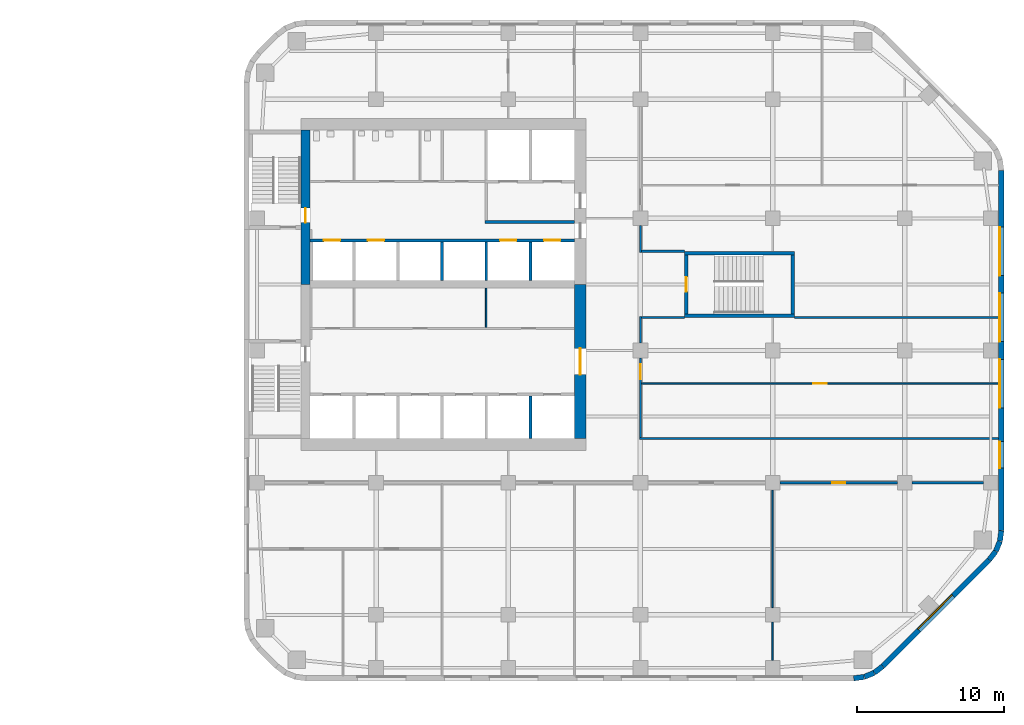
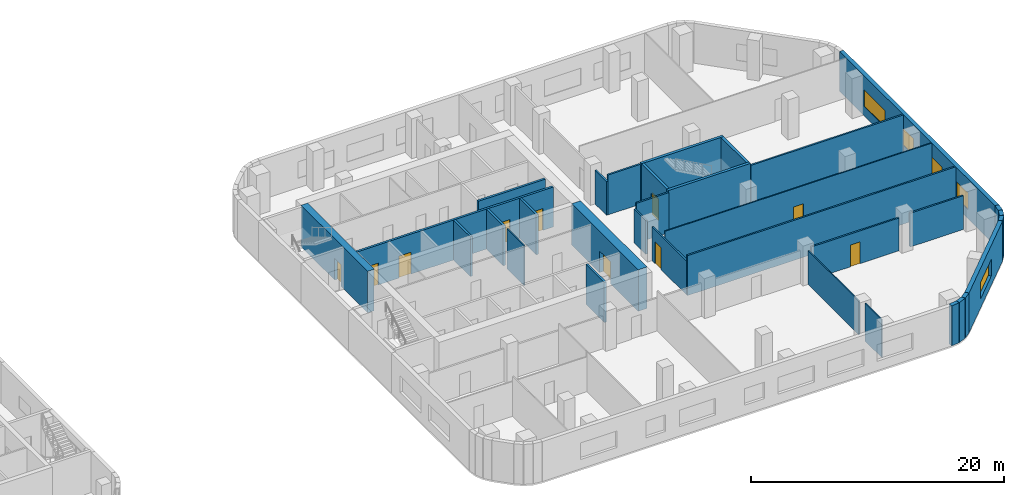
# One storey, part 9 of 14: 33 walls, 10 doors, 5 windows, 15 openings.
"""IFC4 building model written with IfcOpenShell, lengths in metres."""

import ifcopenshell
import ifcopenshell.guid

model = None  # the IFC model being written
_history = None  # IfcOwnerHistory: only IFC2X3 demands one
_inside = {}  # id of a spatial element -> (the spatial element, [elements in it])
_under = {}  # id of a project, library or spatial element -> (it, [spatial elements below it])
_declared = {}  # id of a project -> (the project, [libraries it declares])
_typed = {}  # id of a type object -> (the type object, [elements of that type])
_made_of = {}  # id of a material, layer set ... -> (it, [elements and type objects made of it])


def new_model(schema):
    """Start an empty IFC model of exactly this schema.

    Asked for "IFC4X3", IfcOpenShell would pick the latest addendum, in which some entities
    have other attributes; the version numbers below select the first issue.
    IFC2X3 requires an IfcOwnerHistory on every rooted entity: one is made here for all.
    """
    global model, _history
    if schema == "IFC4X3":
        model = ifcopenshell.file(schema_version=(4, 3, 0, 0))
    else:
        model = ifcopenshell.file(schema=schema)
    _inside.clear()
    _under.clear()
    _declared.clear()
    _typed.clear()
    _made_of.clear()
    _history = None
    if model.schema == "IFC2X3":
        org = make("IfcOrganization", Name="unknown")
        user = make(
            "IfcPersonAndOrganization",
            ThePerson=make("IfcPerson", FamilyName="unknown"),
            TheOrganization=org,
        )
        app = make(
            "IfcApplication",
            ApplicationDeveloper=org,
            Version="unknown",
            ApplicationFullName="unknown",
            ApplicationIdentifier="unknown",
        )
        _history = make(
            "IfcOwnerHistory",
            OwningUser=user,
            OwningApplication=app,
            ChangeAction="ADDED",
            CreationDate=0,
        )
    return model


def make(cls, **values):
    """One entity of the class cls with the attributes given. An attribute that is None is left unset."""
    return model.create_entity(
        cls, **{name: value for name, value in values.items() if value is not None}
    )


def rooted(cls, **values):
    """An entity with a GlobalId (a new one), such as an element, a storey or a relation."""
    return make(cls, GlobalId=ifcopenshell.guid.new(), OwnerHistory=_history, **values)


def si_unit(unit_type, name, prefix=None):
    """IfcSIUnit, for example si_unit("LENGTHUNIT", "METRE", prefix="MILLI")."""
    return make("IfcSIUnit", UnitType=unit_type, Prefix=prefix, Name=name)


def assignment(units):
    """IfcUnitAssignment: the units of a project."""
    return None if units is None else make("IfcUnitAssignment", Units=units)


def point(xyz):
    """IfcCartesianPoint."""
    return None if xyz is None else make("IfcCartesianPoint", Coordinates=xyz)


def direction(xyz):
    """IfcDirection."""
    return None if xyz is None else make("IfcDirection", DirectionRatios=xyz)


def frame(location, z_axis=None, x_axis=None):
    """IfcAxis2Placement3D, a coordinate frame: its origin and axes. An axis left out is left unset."""
    return make(
        "IfcAxis2Placement3D",
        Location=point(location),
        Axis=direction(z_axis),
        RefDirection=direction(x_axis),
    )


def frame_2d(location, x_axis=None):
    """IfcAxis2Placement2D, a coordinate frame in the plane: its origin and x axis."""
    return make(
        "IfcAxis2Placement2D", Location=point(location), RefDirection=direction(x_axis)
    )


def origin():
    """The frame at (0, 0, 0) with its axes left unset."""
    return frame((0.0, 0.0, 0.0))


def place(relative_to, where):
    """IfcLocalPlacement: puts the frame where relative to a parent placement (None: the world)."""
    return make(
        "IfcLocalPlacement", PlacementRelTo=relative_to, RelativePlacement=where
    )


def context(
    kind, dimensions, precision=None, world=None, true_north=None, identifier=None
):
    """IfcGeometricRepresentationContext, for example the 3D "Model" context."""
    return make(
        "IfcGeometricRepresentationContext",
        ContextIdentifier=identifier,
        ContextType=kind,
        CoordinateSpaceDimension=dimensions,
        Precision=precision,
        WorldCoordinateSystem=world,
        TrueNorth=true_north,
    )


def subcontext(parent, identifier, kind, view, scale=None):
    """IfcGeometricRepresentationSubContext, for example "Body" below "Model"."""
    return make(
        "IfcGeometricRepresentationSubContext",
        ContextIdentifier=identifier,
        ContextType=kind,
        ParentContext=parent,
        TargetScale=scale,
        TargetView=view,
    )


def project(units=None, contexts=None):
    """IfcProject with its units and contexts."""
    return rooted(
        "IfcProject",
        Name="project",
        RepresentationContexts=contexts,
        UnitsInContext=assignment(units),
    )


def spatial(cls, under=None, at=None, **own):
    """A site, building, storey or space (cls), placed at a placement, below another one or the project."""
    s = rooted(cls, ObjectPlacement=at, **own)
    if under is not None:
        _under.setdefault(under.id(), (under, []))[1].append(s)
    return s


def profile(cls, at=None, kind="AREA", **sizes):
    """A parametric profile (cls). Its sizes go by their IFC names, for example OverallWidth=200.0."""
    return make(cls, ProfileType=kind, Position=at, **sizes)


def rectangle(**sizes):
    """IfcRectangleProfileDef."""
    return profile("IfcRectangleProfileDef", **sizes)


def extrude(swept, where, along, depth):
    """IfcExtrudedAreaSolid: the profile swept, set in the frame where, extruded along a direction by depth."""
    return make(
        "IfcExtrudedAreaSolid",
        SweptArea=swept,
        Position=where,
        ExtrudedDirection=direction(along),
        Depth=depth,
    )


def shape(context_of_items, identifier, shape_type, items):
    """IfcShapeRepresentation: the items that make up one representation, for example the "Body"."""
    return make(
        "IfcShapeRepresentation",
        ContextOfItems=context_of_items,
        RepresentationIdentifier=identifier,
        RepresentationType=shape_type,
        Items=items,
    )


def material(Name=None, Category=None):
    """IfcMaterial."""
    return make("IfcMaterial", Name=Name, Category=Category)


def layer(
    of_material, thickness, ventilated=None, Name=None, Category=None, Priority=None
):
    """IfcMaterialLayer: one layer of a wall or slab, of a material (None: an air gap)."""
    return make(
        "IfcMaterialLayer",
        Material=of_material,
        LayerThickness=thickness,
        IsVentilated=ventilated,
        Name=Name,
        Category=Category,
        Priority=Priority,
    )


def layer_set(layers, Name=None):
    """IfcMaterialLayerSet."""
    return make("IfcMaterialLayerSet", MaterialLayers=layers, LayerSetName=Name)


def made_of(thing, what):
    """Note that an element or type object is made of a material, layer set ...; save() writes the relation."""
    if what is not None:
        _made_of.setdefault(what.id(), (what, []))[1].append(thing)
    return thing


def type_object(cls, material=None, **own):
    """A type object (cls), such as IfcWallType, which elements share."""
    return made_of(rooted(cls, **own), material)


def element(
    cls,
    number,
    at=None,
    inside=None,
    cuts=None,
    type_object=None,
    material=None,
    context=None,
    identifier="Body",
    shape_type=None,
    held_by="IfcProductDefinitionShape",
    body=None,
    shapes=None,
    **own,
):
    """One element of the class cls, such as IfcWall. Its Tag is "e" and its number.

    at: its placement. inside: the storey or other place that contains it. cuts: it is an
    opening in that element (IfcRelVoidsElement). A single representation is given by context,
    identifier, shape_type and body (its items); several are given by shapes. held_by: the class
    of the entity that holds the representations. save() writes the other relations.
    """
    e = rooted(cls, Tag="e%d" % number, ObjectPlacement=at, **own)
    if body is not None:
        shapes = [shape(context, identifier, shape_type, body)]
    if shapes is not None:
        e.Representation = make(held_by, Representations=shapes)
    if inside is not None:
        _inside.setdefault(inside.id(), (inside, []))[1].append(e)
    if cuts is not None:
        rooted(
            "IfcRelVoidsElement", RelatingBuildingElement=cuts, RelatedOpeningElement=e
        )
    if type_object is not None:
        _typed.setdefault(type_object.id(), (type_object, []))[1].append(e)
    return made_of(e, material)


def fill(opening, filler):
    """IfcRelFillsElement: the door or window that sits in an opening."""
    return rooted(
        "IfcRelFillsElement",
        RelatingOpeningElement=opening,
        RelatedBuildingElement=filler,
    )


def aggregate(whole, parts):
    """IfcRelAggregates: a whole, such as a stair, and the parts it consists of."""
    return rooted("IfcRelAggregates", RelatingObject=whole, RelatedObjects=parts)


def save(model, path):
    """Write the relations noted so far, then the file.

    IfcRelAggregates (storeys below a building ...), IfcRelContainedInSpatialStructure (elements
    in a storey), IfcRelDefinesByType, IfcRelAssociatesMaterial and IfcRelDeclares: one each for
    every whole, place, type object, material and project.
    """
    for whole, parts in _under.values():
        aggregate(whole, parts)
    for where, things in _inside.values():
        rooted(
            "IfcRelContainedInSpatialStructure",
            RelatedElements=things,
            RelatingStructure=where,
        )
    for kind, things in _typed.values():
        rooted("IfcRelDefinesByType", RelatedObjects=things, RelatingType=kind)
    for what, things in _made_of.values():
        rooted("IfcRelAssociatesMaterial", RelatedObjects=things, RelatingMaterial=what)
    for by, libraries in _declared.values():
        rooted("IfcRelDeclares", RelatingContext=by, RelatedDefinitions=libraries)
    model.write(path)


model = new_model("IFC4")

# Units and contexts
model_context = context("Model", 3, precision=1e-05, world=origin(), true_north=direction((0.0, 1.0)))
body_context = subcontext(model_context, "Body", "Model", "MODEL_VIEW")
ifc_project = project(units=[si_unit("LENGTHUNIT", "METRE"), si_unit("AREAUNIT", "SQUARE_METRE"), si_unit("VOLUMEUNIT", "CUBIC_METRE"), si_unit("PLANEANGLEUNIT", "RADIAN"), si_unit("MASSUNIT", "GRAM", prefix="KILO")], contexts=[model_context])

# Site, building, storey
site_placement = place(None, origin())
site = spatial("IfcSite", under=ifc_project, at=site_placement, CompositionType="ELEMENT")
building_placement = place(site_placement, origin())
building = spatial("IfcBuilding", under=site, at=building_placement, Name="Cinnabar Reach Civic Tower", CompositionType="ELEMENT")
storey_placement = place(building_placement, frame((0.0, 0.0, 128.0)))
storey = spatial("IfcBuildingStorey", under=building, at=storey_placement, Name="L30", CompositionType="ELEMENT", Elevation=128.0)

# Walls
ifc_material_1 = material(Name="Facing brick with insulated backing", Category="masonry")
ifc_layer_1 = layer(ifc_material_1, 0.36)
ifc_layer_set_1 = layer_set([ifc_layer_1], Name="Brick corner wall")
wall_type_1 = type_object("IfcWallType", Name="Brick corner wall", PredefinedType="STANDARD", material=ifc_layer_set_1)
for number, where, z_axis, x_axis, name in (
    (1, (41.5186, 4.683, 0.0), (0.0, 0.0, 1.0), (0.99144092581, 0.13055608231, 0.0), "Brick corner wall"),
    (2, (42.2473, 4.7819, 0.0), (0.0, 0.0, 1.0), (0.923871547278, 0.382702709855, 0.0), "Brick corner wall"),
):
    element("IfcWall", number, at=place(storey_placement, frame(where, z_axis=z_axis, x_axis=x_axis)), inside=storey, type_object=wall_type_1, Name=name, PredefinedType="STANDARD", context=body_context, shape_type="SweptSolid", body=[
        extrude(rectangle(XDim=0.7131, YDim=0.36, at=frame_2d((0.3565, 0.0))), origin(), (0.0, 0.0, 1.0), 3.85),
    ])
for number, where, z_axis, x_axis, name in (
    (3, (42.9255, 5.066, 0.0), (0.0, 0.0, 1.0), (0.793321924995, 0.608802368033, 0.0), "Brick corner wall"),
    (4, (50.7498, 12.7587, 0.0), (0.0, 0.0, 1.0), (0.608802368033, 0.793321924995, 0.0), "Brick corner wall"),
):
    element("IfcWall", number, at=place(storey_placement, frame(where, z_axis=z_axis, x_axis=x_axis)), inside=storey, type_object=wall_type_1, Name=name, PredefinedType="STANDARD", context=body_context, shape_type="SweptSolid", body=[
        extrude(rectangle(XDim=0.7132, YDim=0.36, at=frame_2d((0.3566, 0.0))), origin(), (0.0, 0.0, 1.0), 3.85),
    ])
for number, where, z_axis, x_axis, name in (
    (5, (51.1952, 13.3439, 0.0), (0.0, 0.0, 1.0), (0.382702709855, 0.923871547278, 0.0), "Brick corner wall"),
    (6, (51.4739, 14.0244, 0.0), (0.0, 0.0, 1.0), (0.13055608231, 0.99144092581, 0.0), "Brick corner wall"),
):
    element("IfcWall", number, at=place(storey_placement, frame(where, z_axis=z_axis, x_axis=x_axis)), inside=storey, type_object=wall_type_1, Name=name, PredefinedType="STANDARD", context=body_context, shape_type="SweptSolid", body=[
        extrude(rectangle(XDim=0.7131, YDim=0.36, at=frame_2d((0.3565, 0.0))), origin(), (0.0, 0.0, 1.0), 3.85),
    ])

# Wall, opening, window
ifc_layer_2 = layer(ifc_material_1, 0.36)
ifc_layer_set_2 = layer_set([ifc_layer_2], Name="Brick pier and spandrel wall")
wall_type_2 = type_object("IfcWallType", Name="Brick pier and spandrel wall", PredefinedType="STANDARD", material=ifc_layer_set_2)
wall_1_placement = place(storey_placement, frame((43.5014, 5.506, 0.0), z_axis=(0.0, 0.0, 1.0), x_axis=(0.707106781187, 0.707106781187, 0.0)))
wall_1 = element("IfcWall", 7, at=wall_1_placement, inside=storey, type_object=wall_type_2, Name="Brick facade wall", PredefinedType="STANDARD", context=body_context, shape_type="SweptSolid", body=[
    extrude(rectangle(XDim=10.2426, YDim=0.36, at=frame_2d((5.1213, 0.0))), origin(), (0.0, 0.0, 1.0), 3.85),
])
opening_1_placement = place(wall_1_placement, frame((3.4713, 0.0, 0.9)))
opening_1 = element("IfcOpeningElement", 8, at=opening_1_placement, cuts=wall_1, Name="Opening W1640", PredefinedType="OPENING", context=body_context, shape_type="SweptSolid", body=[
    extrude(rectangle(XDim=3.3, YDim=1.6, at=frame_2d((1.65, 0.8))), frame((0.0, 0.19, 0.0), z_axis=(0.0, -1.0, 0.0), x_axis=(1.0, 0.0, 0.0)), (0.0, 0.0, 1.0), 0.38),
])
ifc_material_2 = material(Name="Clear double glazing in aluminium frame", Category="aluminium")
window_type_1 = type_object("IfcWindowType", Name="Deep-set window A", PartitioningType="SINGLE_PANEL", PredefinedType="WINDOW", material=ifc_material_2)
window_1_placement = place(opening_1_placement, origin())
window_1 = element("IfcWindow", 9, at=window_1_placement, inside=storey, type_object=window_type_1, Name="Window southeast face", OverallHeight=1.6, OverallWidth=3.3, PartitioningType="SINGLE_PANEL", PredefinedType="WINDOW", context=body_context, shape_type="SweptSolid", body=[
    extrude(rectangle(XDim=3.3, YDim=1.6, at=frame_2d((1.65, 0.8))), frame((0.0, 0.13, 0.0), z_axis=(0.0, -1.0, 0.0), x_axis=(1.0, 0.0, 0.0)), (0.0, 0.0, 1.0), 0.06),
])
fill(opening_1, window_1)

# Wall, openings, windows
wall_2_placement = place(storey_placement, frame((51.57, 14.7426, 0.0), z_axis=(0.0, 0.0, 1.0), x_axis=(0.0, 1.0, 0.0)))
wall_2 = element("IfcWall", 10, at=wall_2_placement, inside=storey, type_object=wall_type_2, Name="Brick facade wall", PredefinedType="STANDARD", context=body_context, shape_type="SweptSolid", body=[
    extrude(rectangle(XDim=24.5148, YDim=0.36, at=frame_2d((12.2574, 0.0))), origin(), (0.0, 0.0, 1.0), 3.85),
])
opening_2_placement = place(wall_2_placement, frame((4.2574, 0.0, 0.9)))
opening_2 = element("IfcOpeningElement", 11, at=opening_2_placement, cuts=wall_2, Name="Opening W1641", PredefinedType="OPENING", context=body_context, shape_type="SweptSolid", body=[
    extrude(rectangle(XDim=1.8, YDim=1.6, at=frame_2d((0.9, 0.8))), frame((0.0, 0.19, 0.0), z_axis=(0.0, -1.0, 0.0), x_axis=(1.0, 0.0, 0.0)), (0.0, 0.0, 1.0), 0.38),
])
opening_3_placement = place(wall_2_placement, frame((8.3574, 0.0, 0.9)))
opening_3 = element("IfcOpeningElement", 12, at=opening_3_placement, cuts=wall_2, Name="Opening W1642", PredefinedType="OPENING", context=body_context, shape_type="SweptSolid", body=[
    extrude(rectangle(XDim=3.3, YDim=1.6, at=frame_2d((1.65, 0.8))), frame((0.0, 0.19, 0.0), z_axis=(0.0, -1.0, 0.0), x_axis=(1.0, 0.0, 0.0)), (0.0, 0.0, 1.0), 0.38),
])
opening_4_placement = place(wall_2_placement, frame((12.8574, 0.0, 0.9)))
opening_4 = element("IfcOpeningElement", 13, at=opening_4_placement, cuts=wall_2, Name="Opening W1643", PredefinedType="OPENING", context=body_context, shape_type="SweptSolid", body=[
    extrude(rectangle(XDim=3.3, YDim=1.6, at=frame_2d((1.65, 0.8))), frame((0.0, 0.19, 0.0), z_axis=(0.0, -1.0, 0.0), x_axis=(1.0, 0.0, 0.0)), (0.0, 0.0, 1.0), 0.38),
])
opening_5_placement = place(wall_2_placement, frame((17.3574, 0.0, 0.9)))
opening_5 = element("IfcOpeningElement", 14, at=opening_5_placement, cuts=wall_2, Name="Opening W1644", PredefinedType="OPENING", context=body_context, shape_type="SweptSolid", body=[
    extrude(rectangle(XDim=3.3, YDim=1.6, at=frame_2d((1.65, 0.8))), frame((0.0, 0.19, 0.0), z_axis=(0.0, -1.0, 0.0), x_axis=(1.0, 0.0, 0.0)), (0.0, 0.0, 1.0), 0.38),
])
window_2_placement = place(opening_3_placement, origin())
window_2 = element("IfcWindow", 15, at=window_2_placement, inside=storey, type_object=window_type_1, Name="Window east face", OverallHeight=1.6, OverallWidth=3.3, PartitioningType="SINGLE_PANEL", PredefinedType="WINDOW", context=body_context, shape_type="SweptSolid", body=[
    extrude(rectangle(XDim=3.3, YDim=1.6, at=frame_2d((1.65, 0.8))), frame((0.0, 0.13, 0.0), z_axis=(0.0, -1.0, 0.0), x_axis=(1.0, 0.0, 0.0)), (0.0, 0.0, 1.0), 0.06),
])
fill(opening_3, window_2)
window_3_placement = place(opening_4_placement, origin())
window_3 = element("IfcWindow", 16, at=window_3_placement, inside=storey, type_object=window_type_1, Name="Window east face", OverallHeight=1.6, OverallWidth=3.3, PartitioningType="SINGLE_PANEL", PredefinedType="WINDOW", context=body_context, shape_type="SweptSolid", body=[
    extrude(rectangle(XDim=3.3, YDim=1.6, at=frame_2d((1.65, 0.8))), frame((0.0, 0.13, 0.0), z_axis=(0.0, -1.0, 0.0), x_axis=(1.0, 0.0, 0.0)), (0.0, 0.0, 1.0), 0.06),
])
fill(opening_4, window_3)
window_4_placement = place(opening_5_placement, origin())
window_4 = element("IfcWindow", 17, at=window_4_placement, inside=storey, type_object=window_type_1, Name="Window east face", OverallHeight=1.6, OverallWidth=3.3, PartitioningType="SINGLE_PANEL", PredefinedType="WINDOW", context=body_context, shape_type="SweptSolid", body=[
    extrude(rectangle(XDim=3.3, YDim=1.6, at=frame_2d((1.65, 0.8))), frame((0.0, 0.13, 0.0), z_axis=(0.0, -1.0, 0.0), x_axis=(1.0, 0.0, 0.0)), (0.0, 0.0, 1.0), 0.06),
])
fill(opening_5, window_4)
window_type_2 = type_object("IfcWindowType", Name="Deep-set window D", PartitioningType="SINGLE_PANEL", PredefinedType="WINDOW", material=ifc_material_2)
window_5_placement = place(opening_2_placement, origin())
window_5 = element("IfcWindow", 18, at=window_5_placement, inside=storey, type_object=window_type_2, Name="Window east face", OverallHeight=1.6, OverallWidth=1.8, PartitioningType="SINGLE_PANEL", PredefinedType="WINDOW", context=body_context, shape_type="SweptSolid", body=[
    extrude(rectangle(XDim=1.8, YDim=1.6, at=frame_2d((0.9, 0.8))), frame((0.0, 0.13, 0.0), z_axis=(0.0, -1.0, 0.0), x_axis=(1.0, 0.0, 0.0)), (0.0, 0.0, 1.0), 0.06),
])
fill(opening_2, window_5)

# Wall, opening, door
ifc_material_3 = material(Name="Concrete C70", Category="concrete")
ifc_layer_3 = layer(ifc_material_3, 0.6)
ifc_layer_set_3 = layer_set([ifc_layer_3], Name="Core wall 600 EI 180")
wall_type_3 = type_object("IfcWallType", Name="Core wall 600 EI 180", PredefinedType="SOLIDWALL", material=ifc_layer_set_3)
wall_3_placement = place(storey_placement, frame((4.2, 42.0, 0.0), z_axis=(0.0, 0.0, 1.0), x_axis=(0.0, -1.0, 0.0)))
wall_3 = element("IfcWall", 19, at=wall_3_placement, inside=storey, type_object=wall_type_3, Name="Core wall T1 L30 W", PredefinedType="SOLIDWALL", context=body_context, shape_type="SweptSolid", body=[
    extrude(rectangle(XDim=10.5, YDim=0.6, at=frame_2d((5.25, 0.0))), origin(), (0.0, 0.0, 1.0), 4.0),
])
opening_6_placement = place(wall_3_placement, frame((5.3, 0.0, 0.0)))
opening_6 = element("IfcOpeningElement", 20, at=opening_6_placement, cuts=wall_3, Name="Opening D4214", PredefinedType="OPENING", context=body_context, shape_type="SweptSolid", body=[
    extrude(rectangle(XDim=1.0, YDim=2.1, at=frame_2d((0.5, 1.05))), frame((0.0, 0.31, 0.0), z_axis=(0.0, -1.0, 0.0), x_axis=(1.0, 0.0, 0.0)), (0.0, 0.0, 1.0), 0.62),
])
ifc_material_4 = material(Name="Timber door leaf in steel frame", Category="steel")
door_type_1 = type_object("IfcDoorType", Name="Stair door 1000 x 2100 T1", OperationType="SINGLE_SWING_LEFT", PredefinedType="DOOR", material=ifc_material_4)
door_1_placement = place(opening_6_placement, frame((1.0, 0.0, 0.0), z_axis=(0.0, 0.0, 1.0), x_axis=(-1.0, 0.0, 0.0)))
door_1 = element("IfcDoor", 21, at=door_1_placement, inside=storey, type_object=door_type_1, Name="Door D4214", OperationType="SINGLE_SWING_LEFT", OverallHeight=2.1, OverallWidth=1.0, PredefinedType="DOOR", context=body_context, shape_type="SweptSolid", body=[
    extrude(rectangle(XDim=1.0, YDim=2.1, at=frame_2d((0.5, 1.05))), frame((0.0, 0.025, 0.0), z_axis=(0.0, -1.0, 0.0), x_axis=(1.0, 0.0, 0.0)), (0.0, 0.0, 1.0), 0.05),
])
fill(opening_6, door_1)

ifc_layer_4 = layer(ifc_material_3, 0.8)
ifc_layer_set_4 = layer_set([ifc_layer_4], Name="Core wall 800 EI 180")
wall_type_4 = type_object("IfcWallType", Name="Core wall 800 EI 180", PredefinedType="SOLIDWALL", material=ifc_layer_set_4)
wall_4_placement = place(storey_placement, frame((22.9, 21.0, 0.0), z_axis=(0.0, 0.0, 1.0), x_axis=(0.0, 1.0, 0.0)))
wall_4 = element("IfcWall", 22, at=wall_4_placement, inside=storey, type_object=wall_type_4, Name="Core wall T1 L30 E", PredefinedType="SOLIDWALL", context=body_context, shape_type="SweptSolid", body=[
    extrude(rectangle(XDim=10.5, YDim=0.8, at=frame_2d((5.25, 0.0))), origin(), (0.0, 0.0, 1.0), 4.0),
])
opening_7_placement = place(wall_4_placement, frame((4.35, 0.0, 0.0)))
opening_7 = element("IfcOpeningElement", 23, at=opening_7_placement, cuts=wall_4, Name="Opening D4228", PredefinedType="OPENING", context=body_context, shape_type="SweptSolid", body=[
    extrude(rectangle(XDim=1.8, YDim=2.1, at=frame_2d((0.9, 1.05))), frame((0.0, 0.41, 0.0), z_axis=(0.0, -1.0, 0.0), x_axis=(1.0, 0.0, 0.0)), (0.0, 0.0, 1.0), 0.82),
])
door_type_2 = type_object("IfcDoorType", Name="Double swing door 1800 x 2100 T1", OperationType="DOUBLE_DOOR_DOUBLE_SWING", PredefinedType="DOOR", material=ifc_material_4)
door_2_placement = place(opening_7_placement, origin())
door_2 = element("IfcDoor", 24, at=door_2_placement, inside=storey, type_object=door_type_2, Name="Door D4228", OperationType="DOUBLE_DOOR_DOUBLE_SWING", OverallHeight=2.1, OverallWidth=1.8, PredefinedType="DOOR", context=body_context, shape_type="SweptSolid", body=[
    extrude(rectangle(XDim=1.8, YDim=2.1, at=frame_2d((0.9, 1.05))), frame((0.0, 0.025, 0.0), z_axis=(0.0, -1.0, 0.0), x_axis=(1.0, 0.0, 0.0)), (0.0, 0.0, 1.0), 0.05),
])
fill(opening_7, door_2)

# Wall
ifc_material_5 = material(Name="Gypsum board on steel studs, double layer", Category="steel")
ifc_layer_5 = layer(ifc_material_5, 0.15)
ifc_layer_set_5 = layer_set([ifc_layer_5], Name="Corridor wall 150 T1")
wall_type_5 = type_object("IfcWallType", Name="Corridor wall 150 T1", PredefinedType="PARTITIONING", material=ifc_layer_set_5)
wall_5_placement = place(storey_placement, frame((45.5, 18.0, 0.0), z_axis=(0.0, 0.0, 1.0), x_axis=(1.0, 0.0, 0.0)))
element("IfcWall", 25, at=wall_5_placement, inside=storey, type_object=wall_type_5, Name="Corridor wall 19", PredefinedType="PARTITIONING", context=body_context, shape_type="SweptSolid", body=[
    extrude(rectangle(XDim=4.85, YDim=0.15, at=frame_2d((2.425, 0.0))), origin(), (0.0, 0.0, 1.0), 3.254),
])

# Wall, opening, door
wall_6_placement = place(storey_placement, frame((36.5, 18.0, 0.0), z_axis=(0.0, 0.0, 1.0), x_axis=(1.0, 0.0, 0.0)))
wall_6 = element("IfcWall", 26, at=wall_6_placement, inside=storey, type_object=wall_type_5, Name="Corridor wall 20", PredefinedType="PARTITIONING", context=body_context, shape_type="SweptSolid", body=[
    extrude(rectangle(XDim=8.0, YDim=0.15, at=frame_2d((4.0, 0.0))), origin(), (0.0, 0.0, 1.0), 3.158),
])
opening_8_placement = place(wall_6_placement, frame((3.55, 0.0, 0.0)))
opening_8 = element("IfcOpeningElement", 27, at=opening_8_placement, cuts=wall_6, Name="Opening D4249", PredefinedType="OPENING", context=body_context, shape_type="SweptSolid", body=[
    extrude(rectangle(XDim=0.9, YDim=2.1, at=frame_2d((0.45, 1.05))), frame((0.0, 0.085, 0.0), z_axis=(0.0, -1.0, 0.0), x_axis=(1.0, 0.0, 0.0)), (0.0, 0.0, 1.0), 0.17),
])
door_type_3 = type_object("IfcDoorType", Name="Single swing door 900 x 2100 corridor T1", OperationType="SINGLE_SWING_LEFT", PredefinedType="DOOR", material=ifc_material_4)
door_3_placement = place(opening_8_placement, frame((0.9, 0.0, 0.0), z_axis=(0.0, 0.0, 1.0), x_axis=(-1.0, 0.0, 0.0)))
door_3 = element("IfcDoor", 28, at=door_3_placement, inside=storey, type_object=door_type_3, Name="Door D4249", OperationType="SINGLE_SWING_RIGHT", OverallHeight=2.1, OverallWidth=0.9, PredefinedType="DOOR", context=body_context, shape_type="SweptSolid", body=[
    extrude(rectangle(XDim=0.9, YDim=2.1, at=frame_2d((0.45, 1.05))), frame((0.0, 0.025, 0.0), z_axis=(0.0, -1.0, 0.0), x_axis=(1.0, 0.0, 0.0)), (0.0, 0.0, 1.0), 0.05),
])
fill(opening_8, door_3)

# Walls
wall_7_placement = place(storey_placement, frame((26.925, 21.0, 0.0), z_axis=(0.0, 0.0, 1.0), x_axis=(1.0, 0.0, 0.0)))
element("IfcWall", 29, at=wall_7_placement, inside=storey, type_object=wall_type_5, Name="Corridor wall 25", PredefinedType="PARTITIONING", context=body_context, shape_type="SweptSolid", body=[
    extrude(rectangle(XDim=24.465, YDim=0.15, at=frame_2d((12.2325, 0.0))), origin(), (0.0, 0.0, 1.0), 3.85),
])
wall_8_placement = place(storey_placement, frame((27.0, 33.675, 0.0), z_axis=(0.0, 0.0, 1.0), x_axis=(0.0, 1.0, 0.0)))
element("IfcWall", 30, at=wall_8_placement, inside=storey, type_object=wall_type_5, Name="Corridor wall 27", PredefinedType="PARTITIONING", context=body_context, shape_type="SweptSolid", body=[
    extrude(rectangle(XDim=1.825, YDim=0.15, at=frame_2d((0.9125, 0.0))), origin(), (0.0, 0.0, 1.0), 3.256),
])

# Wall, opening, door
wall_9_placement = place(storey_placement, frame((27.0, 21.075, 0.0), z_axis=(0.0, 0.0, 1.0), x_axis=(0.0, 1.0, 0.0)))
wall_9 = element("IfcWall", 31, at=wall_9_placement, inside=storey, type_object=wall_type_5, Name="Corridor wall 31", PredefinedType="PARTITIONING", context=body_context, shape_type="SweptSolid", body=[
    extrude(rectangle(XDim=5.425, YDim=0.15, at=frame_2d((2.7125, 0.0))), origin(), (0.0, 0.0, 1.0), 3.256),
])
opening_9_placement = place(wall_9_placement, frame((3.975, 0.0, 0.0)))
opening_9 = element("IfcOpeningElement", 32, at=opening_9_placement, cuts=wall_9, Name="Opening D4242", PredefinedType="OPENING", context=body_context, shape_type="SweptSolid", body=[
    extrude(rectangle(XDim=1.0, YDim=2.1, at=frame_2d((0.5, 1.05))), frame((0.0, 0.085, 0.0), z_axis=(0.0, -1.0, 0.0), x_axis=(1.0, 0.0, 0.0)), (0.0, 0.0, 1.0), 0.17),
])
door_type_4 = type_object("IfcDoorType", Name="Tenancy entrance door 1000 x 2100 T1", OperationType="SINGLE_SWING_LEFT", PredefinedType="DOOR", material=ifc_material_4)
door_4_placement = place(opening_9_placement, frame((1.0, 0.0, 0.0), z_axis=(0.0, 0.0, 1.0), x_axis=(-1.0, 0.0, 0.0)))
door_4 = element("IfcDoor", 33, at=door_4_placement, inside=storey, type_object=door_type_4, Name="Door D4242", OperationType="SINGLE_SWING_RIGHT", OverallHeight=2.1, OverallWidth=1.0, PredefinedType="DOOR", context=body_context, shape_type="SweptSolid", body=[
    extrude(rectangle(XDim=1.0, YDim=2.1, at=frame_2d((0.5, 1.05))), frame((0.0, 0.025, 0.0), z_axis=(0.0, -1.0, 0.0), x_axis=(1.0, 0.0, 0.0)), (0.0, 0.0, 1.0), 0.05),
])
fill(opening_9, door_4)

# Walls
wall_10_placement = place(storey_placement, frame((27.0, 27.5, 0.0), z_axis=(0.0, 0.0, 1.0), x_axis=(0.0, 1.0, 0.0)))
element("IfcWall", 34, at=wall_10_placement, inside=storey, type_object=wall_type_5, Name="Corridor wall 32", PredefinedType="PARTITIONING", context=body_context, shape_type="SweptSolid", body=[
    extrude(rectangle(XDim=1.825, YDim=0.15, at=frame_2d((0.9125, 0.0))), origin(), (0.0, 0.0, 1.0), 3.256),
])
for number, where, z_axis, x_axis, name in (
    (35, (27.075, 29.25, 0.0), (0.0, 0.0, 1.0), (1.0, 0.0, 0.0), "Corridor wall 36"),
    (36, (27.075, 33.75, 0.0), (0.0, 0.0, 1.0), (1.0, 0.0, 0.0), "Corridor wall 37"),
):
    element("IfcWall", number, at=place(storey_placement, frame(where, z_axis=z_axis, x_axis=x_axis)), inside=storey, type_object=wall_type_5, Name=name, PredefinedType="PARTITIONING", context=body_context, shape_type="SweptSolid", body=[
        extrude(rectangle(XDim=2.925, YDim=0.15, at=frame_2d((1.4625, 0.0))), origin(), (0.0, 0.0, 1.0), 3.85),
    ])

# Wall, openings, doors
ifc_material_6 = material(Name="Blockwork", Category="masonry")
ifc_layer_6 = layer(ifc_material_6, 0.2)
ifc_layer_set_6 = layer_set([ifc_layer_6], Name="Lift shaft wall 200 T1")
wall_type_6 = type_object("IfcWallType", Name="Lift shaft wall 200 T1", PredefinedType="PARTITIONING", material=ifc_layer_set_6)
wall_11_placement = place(storey_placement, frame((4.5, 34.5, 0.0), z_axis=(0.0, 0.0, 1.0), x_axis=(1.0, 0.0, 0.0)))
wall_11 = element("IfcWall", 37, at=wall_11_placement, inside=storey, type_object=wall_type_6, Name="Lift shaft wall 5", PredefinedType="PARTITIONING", context=body_context, shape_type="SweptSolid", body=[
    extrude(rectangle(XDim=18.0, YDim=0.2, at=frame_2d((9.0, 0.0))), origin(), (0.0, 0.0, 1.0), 3.85),
])
opening_10_placement = place(wall_11_placement, frame((0.95, 0.0, 0.0)))
opening_10 = element("IfcOpeningElement", 38, at=opening_10_placement, cuts=wall_11, Name="Opening D4222", PredefinedType="OPENING", context=body_context, shape_type="SweptSolid", body=[
    extrude(rectangle(XDim=1.1, YDim=2.1, at=frame_2d((0.55, 1.05))), frame((0.0, 0.11, 0.0), z_axis=(0.0, -1.0, 0.0), x_axis=(1.0, 0.0, 0.0)), (0.0, 0.0, 1.0), 0.22),
])
opening_11_placement = place(wall_11_placement, frame((3.95, 0.0, 0.0)))
opening_11 = element("IfcOpeningElement", 39, at=opening_11_placement, cuts=wall_11, Name="Opening D4223", PredefinedType="OPENING", context=body_context, shape_type="SweptSolid", body=[
    extrude(rectangle(XDim=1.1, YDim=2.1, at=frame_2d((0.55, 1.05))), frame((0.0, 0.11, 0.0), z_axis=(0.0, -1.0, 0.0), x_axis=(1.0, 0.0, 0.0)), (0.0, 0.0, 1.0), 0.22),
])
opening_12_placement = place(wall_11_placement, frame((12.95, 0.0, 0.0)))
opening_12 = element("IfcOpeningElement", 40, at=opening_12_placement, cuts=wall_11, Name="Opening D4224", PredefinedType="OPENING", context=body_context, shape_type="SweptSolid", body=[
    extrude(rectangle(XDim=1.1, YDim=2.1, at=frame_2d((0.55, 1.05))), frame((0.0, 0.11, 0.0), z_axis=(0.0, -1.0, 0.0), x_axis=(1.0, 0.0, 0.0)), (0.0, 0.0, 1.0), 0.22),
])
opening_13_placement = place(wall_11_placement, frame((15.95, 0.0, 0.0)))
opening_13 = element("IfcOpeningElement", 41, at=opening_13_placement, cuts=wall_11, Name="Opening D4225", PredefinedType="OPENING", context=body_context, shape_type="SweptSolid", body=[
    extrude(rectangle(XDim=1.1, YDim=2.1, at=frame_2d((0.55, 1.05))), frame((0.0, 0.11, 0.0), z_axis=(0.0, -1.0, 0.0), x_axis=(1.0, 0.0, 0.0)), (0.0, 0.0, 1.0), 0.22),
])
ifc_material_7 = material(Name="Stainless steel sliding door", Category="steel")
door_type_5 = type_object("IfcDoorType", Name="Lift landing door 1100 x 2100 T1", OperationType="SLIDING_TO_LEFT", PredefinedType="DOOR", material=ifc_material_7)
door_5_placement = place(opening_10_placement, origin())
door_5 = element("IfcDoor", 42, at=door_5_placement, inside=storey, type_object=door_type_5, Name="Lift landing door SH1 L30", OperationType="SLIDING_TO_LEFT", OverallHeight=2.1, OverallWidth=1.1, PredefinedType="DOOR", context=body_context, shape_type="SweptSolid", body=[
    extrude(rectangle(XDim=1.1, YDim=2.1, at=frame_2d((0.55, 1.05))), frame((0.0, 0.025, 0.0), z_axis=(0.0, -1.0, 0.0), x_axis=(1.0, 0.0, 0.0)), (0.0, 0.0, 1.0), 0.05),
])
fill(opening_10, door_5)
door_6_placement = place(opening_11_placement, origin())
door_6 = element("IfcDoor", 43, at=door_6_placement, inside=storey, type_object=door_type_5, Name="Lift landing door SH2 L30", OperationType="SLIDING_TO_LEFT", OverallHeight=2.1, OverallWidth=1.1, PredefinedType="DOOR", context=body_context, shape_type="SweptSolid", body=[
    extrude(rectangle(XDim=1.1, YDim=2.1, at=frame_2d((0.55, 1.05))), frame((0.0, 0.025, 0.0), z_axis=(0.0, -1.0, 0.0), x_axis=(1.0, 0.0, 0.0)), (0.0, 0.0, 1.0), 0.05),
])
fill(opening_11, door_6)
door_7_placement = place(opening_12_placement, origin())
door_7 = element("IfcDoor", 44, at=door_7_placement, inside=storey, type_object=door_type_5, Name="Lift landing door SV1 L30", OperationType="SLIDING_TO_LEFT", OverallHeight=2.1, OverallWidth=1.1, PredefinedType="DOOR", context=body_context, shape_type="SweptSolid", body=[
    extrude(rectangle(XDim=1.1, YDim=2.1, at=frame_2d((0.55, 1.05))), frame((0.0, 0.025, 0.0), z_axis=(0.0, -1.0, 0.0), x_axis=(1.0, 0.0, 0.0)), (0.0, 0.0, 1.0), 0.05),
])
fill(opening_12, door_7)
door_8_placement = place(opening_13_placement, origin())
door_8 = element("IfcDoor", 45, at=door_8_placement, inside=storey, type_object=door_type_5, Name="Lift landing door SV2 L30", OperationType="SLIDING_TO_LEFT", OverallHeight=2.1, OverallWidth=1.1, PredefinedType="DOOR", context=body_context, shape_type="SweptSolid", body=[
    extrude(rectangle(XDim=1.1, YDim=2.1, at=frame_2d((0.55, 1.05))), frame((0.0, 0.025, 0.0), z_axis=(0.0, -1.0, 0.0), x_axis=(1.0, 0.0, 0.0)), (0.0, 0.0, 1.0), 0.05),
])
fill(opening_13, door_8)

# Walls
for number, where, z_axis, x_axis, name in (
    (46, (13.5, 31.75, 0.0), (0.0, 0.0, 1.0), (0.0, 1.0, 0.0), "Lift shaft wall 14"),
    (47, (16.5, 31.75, 0.0), (0.0, 0.0, 1.0), (0.0, 1.0, 0.0), "Lift shaft wall 16"),
):
    element("IfcWall", number, at=place(storey_placement, frame(where, z_axis=z_axis, x_axis=x_axis)), inside=storey, type_object=wall_type_6, Name=name, PredefinedType="PARTITIONING", context=body_context, shape_type="SweptSolid", body=[
        extrude(rectangle(XDim=2.65, YDim=0.2, at=frame_2d((1.325, 0.0))), origin(), (0.0, 0.0, 1.0), 3.85),
    ])
wall_12_placement = place(storey_placement, frame((19.5, 21.0, 0.0), z_axis=(0.0, 0.0, 1.0), x_axis=(0.0, 1.0, 0.0)))
element("IfcWall", 48, at=wall_12_placement, inside=storey, type_object=wall_type_6, Name="Lift shaft wall 17", PredefinedType="PARTITIONING", context=body_context, shape_type="SweptSolid", body=[
    extrude(rectangle(XDim=2.9, YDim=0.2, at=frame_2d((1.45, 0.0))), origin(), (0.0, 0.0, 1.0), 3.85),
])
wall_13_placement = place(storey_placement, frame((19.5, 31.75, 0.0), z_axis=(0.0, 0.0, 1.0), x_axis=(0.0, 1.0, 0.0)))
element("IfcWall", 49, at=wall_13_placement, inside=storey, type_object=wall_type_6, Name="Lift shaft wall 18", PredefinedType="PARTITIONING", context=body_context, shape_type="SweptSolid", body=[
    extrude(rectangle(XDim=2.65, YDim=0.2, at=frame_2d((1.325, 0.0))), origin(), (0.0, 0.0, 1.0), 3.85),
])

# Wall, opening, door
ifc_material_8 = material(Name="Gypsum board on steel studs", Category="steel")
ifc_layer_7 = layer(ifc_material_8, 0.1)
ifc_layer_set_7 = layer_set([ifc_layer_7], Name="Partition wall 100 T1")
wall_type_7 = type_object("IfcWallType", Name="Partition wall 100 T1", PredefinedType="PARTITIONING", material=ifc_layer_set_7)
wall_14_placement = place(storey_placement, frame((27.075, 24.75, 0.0), z_axis=(0.0, 0.0, 1.0), x_axis=(1.0, 0.0, 0.0)))
wall_14 = element("IfcWall", 50, at=wall_14_placement, inside=storey, type_object=wall_type_7, Name="Partition wall 41", PredefinedType="PARTITIONING", context=body_context, shape_type="SweptSolid", body=[
    extrude(rectangle(XDim=24.315, YDim=0.1, at=frame_2d((12.1575, 0.0))), origin(), (0.0, 0.0, 1.0), 3.85),
])
opening_14_placement = place(wall_14_placement, frame((11.7, 0.0, 0.0)))
opening_14 = element("IfcOpeningElement", 51, at=opening_14_placement, cuts=wall_14, Name="Opening D4243", PredefinedType="OPENING", context=body_context, shape_type="SweptSolid", body=[
    extrude(rectangle(XDim=0.9, YDim=2.1, at=frame_2d((0.45, 1.05))), frame((0.0, 0.06, 0.0), z_axis=(0.0, -1.0, 0.0), x_axis=(1.0, 0.0, 0.0)), (0.0, 0.0, 1.0), 0.12),
])
door_type_6 = type_object("IfcDoorType", Name="Single swing door 900 x 2100 T1", OperationType="SINGLE_SWING_LEFT", PredefinedType="DOOR", material=ifc_material_4)
door_9_placement = place(opening_14_placement, frame((0.9, 0.0, 0.0), z_axis=(0.0, 0.0, 1.0), x_axis=(-1.0, 0.0, 0.0)))
door_9 = element("IfcDoor", 52, at=door_9_placement, inside=storey, type_object=door_type_6, Name="Door D4243", OperationType="SINGLE_SWING_RIGHT", OverallHeight=2.1, OverallWidth=0.9, PredefinedType="DOOR", context=body_context, shape_type="SweptSolid", body=[
    extrude(rectangle(XDim=0.9, YDim=2.1, at=frame_2d((0.45, 1.05))), frame((0.0, 0.025, 0.0), z_axis=(0.0, -1.0, 0.0), x_axis=(1.0, 0.0, 0.0)), (0.0, 0.0, 1.0), 0.05),
])
fill(opening_14, door_9)

# Walls
wall_15_placement = place(storey_placement, frame((36.0, 5.9, 0.0), z_axis=(0.0, 0.0, 1.0), x_axis=(0.0, 1.0, 0.0)))
element("IfcWall", 53, at=wall_15_placement, inside=storey, type_object=wall_type_7, Name="Partition wall 47", PredefinedType="PARTITIONING", context=body_context, shape_type="SweptSolid", body=[
    extrude(rectangle(XDim=2.6, YDim=0.1, at=frame_2d((1.3, 0.0))), origin(), (0.0, 0.0, 1.0), 3.652),
])
wall_16_placement = place(storey_placement, frame((36.0, 9.5, 0.0), z_axis=(0.0, 0.0, 1.0), x_axis=(0.0, 1.0, 0.0)))
element("IfcWall", 54, at=wall_16_placement, inside=storey, type_object=wall_type_7, Name="Partition wall 48", PredefinedType="PARTITIONING", context=body_context, shape_type="SweptSolid", body=[
    extrude(rectangle(XDim=8.0, YDim=0.1, at=frame_2d((4.0, 0.0))), origin(), (0.0, 0.0, 1.0), 3.256),
])
wall_17_placement = place(storey_placement, frame((16.5, 28.575, 0.0), z_axis=(0.0, 0.0, 1.0), x_axis=(0.0, 1.0, 0.0)))
element("IfcWall", 55, at=wall_17_placement, inside=storey, type_object=wall_type_7, Name="Partition wall 56", PredefinedType="PARTITIONING", context=body_context, shape_type="SweptSolid", body=[
    extrude(rectangle(XDim=2.675, YDim=0.1, at=frame_2d((1.3375, 0.0))), origin(), (0.0, 0.0, 1.0), 3.85),
])
ifc_material_9 = material(Name="Concrete C40", Category="concrete")
ifc_layer_8 = layer(ifc_material_9, 0.2)
ifc_layer_set_8 = layer_set([ifc_layer_8], Name="Refuge compartment wall 200 T1")
wall_type_8 = type_object("IfcWallType", Name="Refuge compartment wall 200 T1", PredefinedType="PARTITIONING", material=ifc_layer_set_8)
wall_18_placement = place(storey_placement, frame((16.4, 35.75, 0.0), z_axis=(0.0, 0.0, 1.0), x_axis=(1.0, 0.0, 0.0)))
element("IfcWall", 56, at=wall_18_placement, inside=storey, type_object=wall_type_8, Name="Refuge compartment wall 1", PredefinedType="PARTITIONING", context=body_context, shape_type="SweptSolid", body=[
    extrude(rectangle(XDim=6.1, YDim=0.2, at=frame_2d((3.05, 0.0))), origin(), (0.0, 0.0, 1.0), 3.85),
])
ifc_material_10 = material(Name="Concrete C60", Category="concrete")
ifc_layer_9 = layer(ifc_material_10, 0.25)
ifc_layer_set_9 = layer_set([ifc_layer_9], Name="Stair shaft wall 250 EI 120")
wall_type_9 = type_object("IfcWallType", Name="Stair shaft wall 250 EI 120", PredefinedType="SOLIDWALL", material=ifc_layer_set_9)
for number, where, z_axis, x_axis, name in (
    (57, (30.0, 29.375, 0.0), (0.0, 0.0, 1.0), (1.0, 0.0, 0.0), "Stair shaft wall T1-S3 L30"),
    (58, (37.5, 33.625, 0.0), (0.0, 0.0, 1.0), (-1.0, 0.0, 0.0), "Stair shaft wall T1-S3 L30"),
):
    element("IfcWall", number, at=place(storey_placement, frame(where, z_axis=z_axis, x_axis=x_axis)), inside=storey, type_object=wall_type_9, Name=name, PredefinedType="SOLIDWALL", context=body_context, shape_type="SweptSolid", body=[
        extrude(rectangle(XDim=7.5, YDim=0.25, at=frame_2d((3.75, 0.0))), origin(), (0.0, 0.0, 1.0), 4.0),
    ])
wall_19_placement = place(storey_placement, frame((37.375, 29.5, 0.0), z_axis=(0.0, 0.0, 1.0), x_axis=(0.0, 1.0, 0.0)))
element("IfcWall", 59, at=wall_19_placement, inside=storey, type_object=wall_type_9, Name="Stair shaft wall T1-S3 L30", PredefinedType="SOLIDWALL", context=body_context, shape_type="SweptSolid", body=[
    extrude(rectangle(XDim=4.0, YDim=0.25, at=frame_2d((2.0, 0.0))), origin(), (0.0, 0.0, 1.0), 4.0),
])

# Wall, opening, door
wall_20_placement = place(storey_placement, frame((30.125, 33.5, 0.0), z_axis=(0.0, 0.0, 1.0), x_axis=(0.0, -1.0, 0.0)))
wall_20 = element("IfcWall", 60, at=wall_20_placement, inside=storey, type_object=wall_type_9, Name="Stair shaft wall T1-S3 L30", PredefinedType="SOLIDWALL", context=body_context, shape_type="SweptSolid", body=[
    extrude(rectangle(XDim=4.0, YDim=0.25, at=frame_2d((2.0, 0.0))), origin(), (0.0, 0.0, 1.0), 4.0),
])
opening_15_placement = place(wall_20_placement, frame((1.5, 0.0, 0.0)))
opening_15 = element("IfcOpeningElement", 61, at=opening_15_placement, cuts=wall_20, Name="Opening D4231", PredefinedType="OPENING", context=body_context, shape_type="SweptSolid", body=[
    extrude(rectangle(XDim=1.0, YDim=2.1, at=frame_2d((0.5, 1.05))), frame((0.0, 0.135, 0.0), z_axis=(0.0, -1.0, 0.0), x_axis=(1.0, 0.0, 0.0)), (0.0, 0.0, 1.0), 0.27),
])
door_10_placement = place(opening_15_placement, origin())
door_10 = element("IfcDoor", 62, at=door_10_placement, inside=storey, type_object=door_type_1, Name="Door D4231", OperationType="SINGLE_SWING_LEFT", OverallHeight=2.1, OverallWidth=1.0, PredefinedType="DOOR", context=body_context, shape_type="SweptSolid", body=[
    extrude(rectangle(XDim=1.0, YDim=2.1, at=frame_2d((0.5, 1.05))), frame((0.0, 0.025, 0.0), z_axis=(0.0, -1.0, 0.0), x_axis=(1.0, 0.0, 0.0)), (0.0, 0.0, 1.0), 0.05),
])
fill(opening_15, door_10)

# Wall
ifc_layer_10 = layer(ifc_material_5, 0.15)
ifc_layer_set_10 = layer_set([ifc_layer_10], Name="Tenancy separating wall 150 T1")
wall_type_10 = type_object("IfcWallType", Name="Tenancy separating wall 150 T1", PredefinedType="PARTITIONING", material=ifc_layer_set_10)
wall_21_placement = place(storey_placement, frame((37.5, 29.25, 0.0), z_axis=(0.0, 0.0, 1.0), x_axis=(1.0, 0.0, 0.0)))
element("IfcWall", 63, at=wall_21_placement, inside=storey, type_object=wall_type_10, Name="Tenancy separating wall 40", PredefinedType="PARTITIONING", context=body_context, shape_type="SweptSolid", body=[
    extrude(rectangle(XDim=13.89, YDim=0.15, at=frame_2d((6.945, 0.0))), origin(), (0.0, 0.0, 1.0), 3.85),
])

save(model, "model.ifc")
